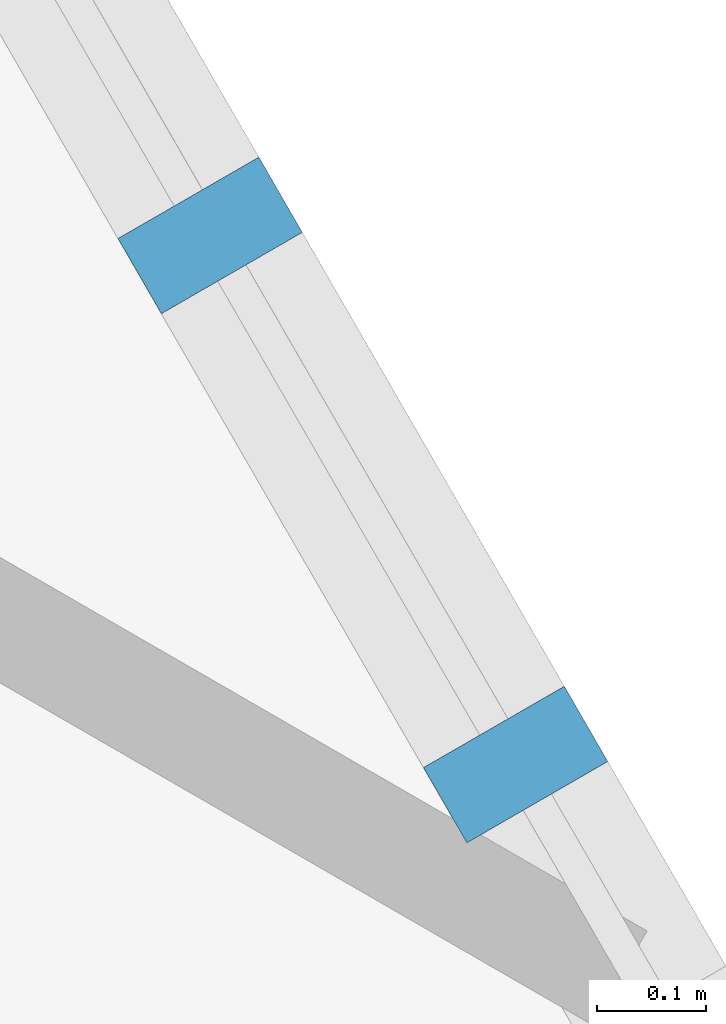
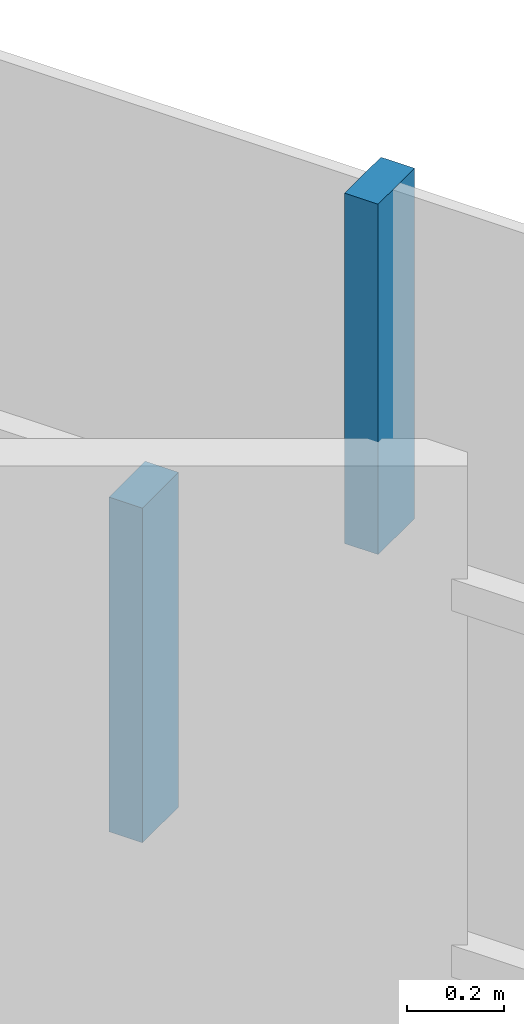
# One storey, part 14 of 26: 2 members, 1 element without a shape of its own.
"""IFC4 building model written with IfcOpenShell, lengths in metres."""

import ifcopenshell
import ifcopenshell.guid

model = None  # the IFC model being written
_history = None  # IfcOwnerHistory: only IFC2X3 demands one
_inside = {}  # id of a spatial element -> (the spatial element, [elements in it])
_under = {}  # id of a project, library or spatial element -> (it, [spatial elements below it])
_declared = {}  # id of a project -> (the project, [libraries it declares])
_typed = {}  # id of a type object -> (the type object, [elements of that type])
_made_of = {}  # id of a material, layer set ... -> (it, [elements and type objects made of it])


def new_model(schema):
    """Start an empty IFC model of exactly this schema.

    Asked for "IFC4X3", IfcOpenShell would pick the latest addendum, in which some entities
    have other attributes; the version numbers below select the first issue.
    IFC2X3 requires an IfcOwnerHistory on every rooted entity: one is made here for all.
    """
    global model, _history
    if schema == "IFC4X3":
        model = ifcopenshell.file(schema_version=(4, 3, 0, 0))
    else:
        model = ifcopenshell.file(schema=schema)
    _inside.clear()
    _under.clear()
    _declared.clear()
    _typed.clear()
    _made_of.clear()
    _history = None
    if model.schema == "IFC2X3":
        org = make("IfcOrganization", Name="unknown")
        user = make(
            "IfcPersonAndOrganization",
            ThePerson=make("IfcPerson", FamilyName="unknown"),
            TheOrganization=org,
        )
        app = make(
            "IfcApplication",
            ApplicationDeveloper=org,
            Version="unknown",
            ApplicationFullName="unknown",
            ApplicationIdentifier="unknown",
        )
        _history = make(
            "IfcOwnerHistory",
            OwningUser=user,
            OwningApplication=app,
            ChangeAction="ADDED",
            CreationDate=0,
        )
    return model


def make(cls, **values):
    """One entity of the class cls with the attributes given. An attribute that is None is left unset."""
    return model.create_entity(
        cls, **{name: value for name, value in values.items() if value is not None}
    )


def rooted(cls, **values):
    """An entity with a GlobalId (a new one), such as an element, a storey or a relation."""
    return make(cls, GlobalId=ifcopenshell.guid.new(), OwnerHistory=_history, **values)


def si_unit(unit_type, name, prefix=None):
    """IfcSIUnit, for example si_unit("LENGTHUNIT", "METRE", prefix="MILLI")."""
    return make("IfcSIUnit", UnitType=unit_type, Prefix=prefix, Name=name)


def assignment(units):
    """IfcUnitAssignment: the units of a project."""
    return None if units is None else make("IfcUnitAssignment", Units=units)


def point(xyz):
    """IfcCartesianPoint."""
    return None if xyz is None else make("IfcCartesianPoint", Coordinates=xyz)


def direction(xyz):
    """IfcDirection."""
    return None if xyz is None else make("IfcDirection", DirectionRatios=xyz)


def frame(location, z_axis=None, x_axis=None):
    """IfcAxis2Placement3D, a coordinate frame: its origin and axes. An axis left out is left unset."""
    return make(
        "IfcAxis2Placement3D",
        Location=point(location),
        Axis=direction(z_axis),
        RefDirection=direction(x_axis),
    )


def frame_2d(location, x_axis=None):
    """IfcAxis2Placement2D, a coordinate frame in the plane: its origin and x axis."""
    return make(
        "IfcAxis2Placement2D", Location=point(location), RefDirection=direction(x_axis)
    )


def origin():
    """The frame at (0, 0, 0) with its axes left unset."""
    return frame((0.0, 0.0, 0.0))


def origin_2d():
    """The frame at (0, 0) in the plane with its x axis left unset."""
    return frame_2d((0.0, 0.0))


def place(relative_to, where):
    """IfcLocalPlacement: puts the frame where relative to a parent placement (None: the world)."""
    return make(
        "IfcLocalPlacement", PlacementRelTo=relative_to, RelativePlacement=where
    )


def context(
    kind, dimensions, precision=None, world=None, true_north=None, identifier=None
):
    """IfcGeometricRepresentationContext, for example the 3D "Model" context."""
    return make(
        "IfcGeometricRepresentationContext",
        ContextIdentifier=identifier,
        ContextType=kind,
        CoordinateSpaceDimension=dimensions,
        Precision=precision,
        WorldCoordinateSystem=world,
        TrueNorth=true_north,
    )


def subcontext(parent, identifier, kind, view, scale=None):
    """IfcGeometricRepresentationSubContext, for example "Body" below "Model"."""
    return make(
        "IfcGeometricRepresentationSubContext",
        ContextIdentifier=identifier,
        ContextType=kind,
        ParentContext=parent,
        TargetScale=scale,
        TargetView=view,
    )


def project(units=None, contexts=None):
    """IfcProject with its units and contexts."""
    return rooted(
        "IfcProject",
        Name="project",
        RepresentationContexts=contexts,
        UnitsInContext=assignment(units),
    )


def spatial(cls, under=None, at=None, **own):
    """A site, building, storey or space (cls), placed at a placement, below another one or the project."""
    s = rooted(cls, ObjectPlacement=at, **own)
    if under is not None:
        _under.setdefault(under.id(), (under, []))[1].append(s)
    return s


def profile(cls, at=None, kind="AREA", **sizes):
    """A parametric profile (cls). Its sizes go by their IFC names, for example OverallWidth=200.0."""
    return make(cls, ProfileType=kind, Position=at, **sizes)


def rectangle(**sizes):
    """IfcRectangleProfileDef."""
    return profile("IfcRectangleProfileDef", **sizes)


def extrude(swept, where, along, depth):
    """IfcExtrudedAreaSolid: the profile swept, set in the frame where, extruded along a direction by depth."""
    return make(
        "IfcExtrudedAreaSolid",
        SweptArea=swept,
        Position=where,
        ExtrudedDirection=direction(along),
        Depth=depth,
    )


def shape(context_of_items, identifier, shape_type, items):
    """IfcShapeRepresentation: the items that make up one representation, for example the "Body"."""
    return make(
        "IfcShapeRepresentation",
        ContextOfItems=context_of_items,
        RepresentationIdentifier=identifier,
        RepresentationType=shape_type,
        Items=items,
    )


def material(Name=None, Category=None):
    """IfcMaterial."""
    return make("IfcMaterial", Name=Name, Category=Category)


def layer(
    of_material, thickness, ventilated=None, Name=None, Category=None, Priority=None
):
    """IfcMaterialLayer: one layer of a wall or slab, of a material (None: an air gap)."""
    return make(
        "IfcMaterialLayer",
        Material=of_material,
        LayerThickness=thickness,
        IsVentilated=ventilated,
        Name=Name,
        Category=Category,
        Priority=Priority,
    )


def layer_set(layers, Name=None):
    """IfcMaterialLayerSet."""
    return make("IfcMaterialLayerSet", MaterialLayers=layers, LayerSetName=Name)


def material_profile(
    of_material, cross_section, Name=None, Category=None, Priority=None
):
    """IfcMaterialProfile: a cross section and its material."""
    return make(
        "IfcMaterialProfile",
        Name=Name,
        Material=of_material,
        Profile=cross_section,
        Priority=Priority,
        Category=Category,
    )


def profile_set(profiles, Name=None, composite=None):
    """IfcMaterialProfileSet."""
    return make(
        "IfcMaterialProfileSet",
        Name=Name,
        MaterialProfiles=profiles,
        CompositeProfile=composite,
    )


def made_of(thing, what):
    """Note that an element or type object is made of a material, layer set ...; save() writes the relation."""
    if what is not None:
        _made_of.setdefault(what.id(), (what, []))[1].append(thing)
    return thing


def type_object(cls, material=None, **own):
    """A type object (cls), such as IfcWallType, which elements share."""
    return made_of(rooted(cls, **own), material)


def element(
    cls,
    number,
    at=None,
    inside=None,
    cuts=None,
    type_object=None,
    material=None,
    context=None,
    identifier="Body",
    shape_type=None,
    held_by="IfcProductDefinitionShape",
    body=None,
    shapes=None,
    **own,
):
    """One element of the class cls, such as IfcWall. Its Tag is "e" and its number.

    at: its placement. inside: the storey or other place that contains it. cuts: it is an
    opening in that element (IfcRelVoidsElement). A single representation is given by context,
    identifier, shape_type and body (its items); several are given by shapes. held_by: the class
    of the entity that holds the representations. save() writes the other relations.
    """
    e = rooted(cls, Tag="e%d" % number, ObjectPlacement=at, **own)
    if body is not None:
        shapes = [shape(context, identifier, shape_type, body)]
    if shapes is not None:
        e.Representation = make(held_by, Representations=shapes)
    if inside is not None:
        _inside.setdefault(inside.id(), (inside, []))[1].append(e)
    if cuts is not None:
        rooted(
            "IfcRelVoidsElement", RelatingBuildingElement=cuts, RelatedOpeningElement=e
        )
    if type_object is not None:
        _typed.setdefault(type_object.id(), (type_object, []))[1].append(e)
    return made_of(e, material)


def aggregate(whole, parts):
    """IfcRelAggregates: a whole, such as a stair, and the parts it consists of."""
    return rooted("IfcRelAggregates", RelatingObject=whole, RelatedObjects=parts)


def save(model, path):
    """Write the relations noted so far, then the file.

    IfcRelAggregates (storeys below a building ...), IfcRelContainedInSpatialStructure (elements
    in a storey), IfcRelDefinesByType, IfcRelAssociatesMaterial and IfcRelDeclares: one each for
    every whole, place, type object, material and project.
    """
    for whole, parts in _under.values():
        aggregate(whole, parts)
    for where, things in _inside.values():
        rooted(
            "IfcRelContainedInSpatialStructure",
            RelatedElements=things,
            RelatingStructure=where,
        )
    for kind, things in _typed.values():
        rooted("IfcRelDefinesByType", RelatedObjects=things, RelatingType=kind)
    for what, things in _made_of.values():
        rooted("IfcRelAssociatesMaterial", RelatedObjects=things, RelatingMaterial=what)
    for by, libraries in _declared.values():
        rooted("IfcRelDeclares", RelatingContext=by, RelatedDefinitions=libraries)
    model.write(path)


model = new_model("IFC4")

# Units and contexts
model_context = context("Model", 3, precision=1e-05, world=origin(), true_north=direction((0.0, 1.0)))
body_context = subcontext(model_context, "Body", "Model", "MODEL_VIEW")
ifc_project = project(units=[si_unit("LENGTHUNIT", "METRE"), si_unit("AREAUNIT", "SQUARE_METRE"), si_unit("VOLUMEUNIT", "CUBIC_METRE"), si_unit("PLANEANGLEUNIT", "RADIAN"), si_unit("MASSUNIT", "GRAM", prefix="KILO")], contexts=[model_context])

# Site, building, storey
site_placement = place(None, origin())
site = spatial("IfcSite", under=ifc_project, at=site_placement, CompositionType="ELEMENT")
building_placement = place(site_placement, origin())
building = spatial("IfcBuilding", under=site, at=building_placement, Name="Firuza Gate Tower and Library", CompositionType="ELEMENT")
storey_placement = place(building_placement, frame((0.0, 0.0, 288.10009765625)))
storey = spatial("IfcBuildingStorey", under=building, at=storey_placement, Name="L69", CompositionType="ELEMENT", Elevation=288.10009765625)

# Curtain wall, members
ifc_material_1 = material(Name="Aluminium 6063-T6", Category="aluminium")
ifc_layer = layer(ifc_material_1, 0.14990234375)
ifc_layer_set = layer_set([ifc_layer], Name="Unitised curtain wall, residences")
curtain_wall_type = type_object("IfcCurtainWallType", Name="Unitised curtain wall, residences", PredefinedType="NOTDEFINED", material=ifc_layer_set)
curtain_wall_placement = place(storey_placement, origin())
curtain_wall = element("IfcCurtainWall", 1, at=curtain_wall_placement, inside=storey, type_object=curtain_wall_type, Name="CW3 L69 E face", PredefinedType="NOTDEFINED")
ifc_material_2 = material(Name="Aluminium 6063-T6", Category="aluminium")
ifc_material_profile = material_profile(ifc_material_2, rectangle(XDim=0.14990234375, YDim=0.080078125, at=origin_2d()))
ifc_profile_set = profile_set([ifc_material_profile], Name="Aluminium 6063-T6")
member_type = type_object("IfcMemberType", Name="Curtain wall mullion 80x150", PredefinedType="MULLION", material=ifc_profile_set)
member_1_placement = place(storey_placement, frame((100.188720703125, 65.657958984375, 1.489990234375), z_axis=(0.0, 0.0, 1.0), x_axis=(-0.866025403784, -0.5, 0.0)))
member_1 = element("IfcMember", 2, at=member_1_placement, type_object=member_type, Name="Mullion", PredefinedType="MULLION", context=body_context, shape_type="SweptSolid", body=[
    extrude(rectangle(XDim=0.14990234375, YDim=0.080078125, at=origin_2d()), origin(), (0.0, 0.0, 1.0), 0.844970703125),
])
member_2_placement = place(storey_placement, frame((100.47021484375, 65.17041015625, 2.414794921875), z_axis=(0.0, 0.0, 1.0), x_axis=(-0.866025403784, -0.5, 0.0)))
member_2 = element("IfcMember", 3, at=member_2_placement, type_object=member_type, Name="Mullion", PredefinedType="MULLION", context=body_context, shape_type="SweptSolid", body=[
    extrude(rectangle(XDim=0.14990234375, YDim=0.080078125, at=origin_2d()), origin(), (0.0, 0.0, 1.0), 0.885009765625),
])
aggregate(curtain_wall, [member_1, member_2])

save(model, "model.ifc")
